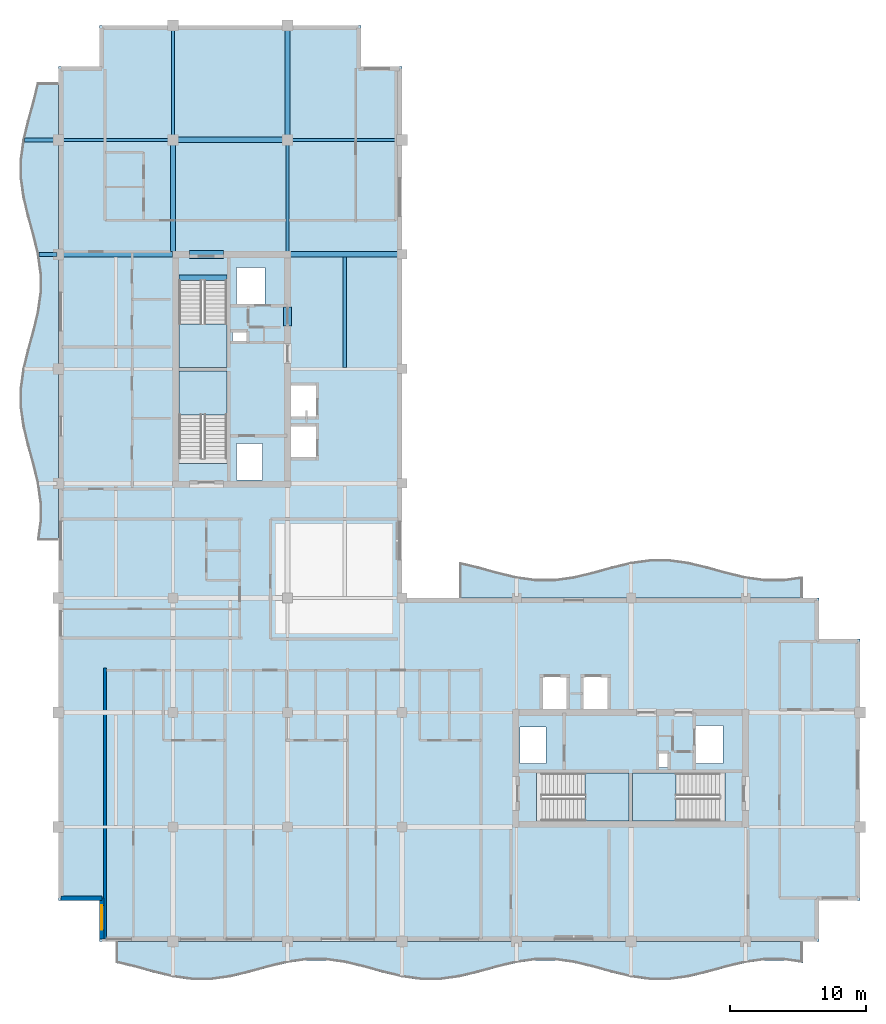
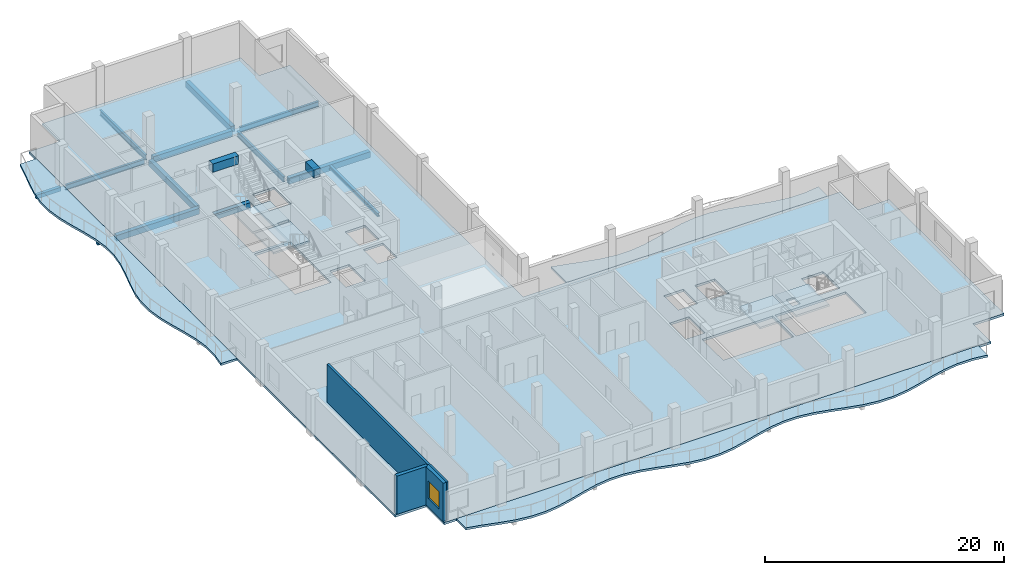
# One storey, part 2 of 11: 15 beams, 8 slabs, 3 walls, 1 window, 1 opening, 4 elements without a shape of their own.
"""IFC4 building model written with IfcOpenShell, lengths in metres."""

from ifc_helpers import new_model, si_unit, direction, frame, frame_2d, origin, origin_2d, place, context, subcontext, project, spatial, polyline, rectangle, i_section, outline, extrude, material, layer, layer_set, material_profile, profile_set, type_object, element, fill, aggregate, save


model = new_model("IFC4")

# Units and contexts
model_context = context("Model", 3, precision=1e-05, world=origin(), true_north=direction((0.0, 1.0)))
body_context = subcontext(model_context, "Body", "Model", "MODEL_VIEW")
ifc_project = project(units=[si_unit("LENGTHUNIT", "METRE"), si_unit("AREAUNIT", "SQUARE_METRE"), si_unit("VOLUMEUNIT", "CUBIC_METRE"), si_unit("PLANEANGLEUNIT", "RADIAN"), si_unit("MASSUNIT", "GRAM", prefix="KILO")], contexts=[model_context])

# Site, building, storey
site_placement = place(None, origin())
site = spatial("IfcSite", under=ifc_project, at=site_placement, CompositionType="ELEMENT")
building_placement = place(site_placement, origin())
building = spatial("IfcBuilding", under=site, at=building_placement, Name="Koriwani Terraces Tower", CompositionType="ELEMENT")
storey_placement = place(building_placement, frame((0.0, 0.0, 359.60009765625)))
storey = spatial("IfcBuildingStorey", under=building, at=storey_placement, Name="L89", CompositionType="ELEMENT", Elevation=359.60009765625)

# Beams
ifc_material_1 = material(Name="Concrete C40/50", Category="concrete")
ifc_material_profile_1 = material_profile(ifc_material_1, rectangle(XDim=0.300048828125, YDim=0.39990234375, at=origin_2d()), Name="Concrete C40/50", Category="LoadBearing")
ifc_profile_set_1 = profile_set([ifc_material_profile_1], Name="Concrete C40/50")
beam_type_1 = type_object("IfcBeamType", Name="BEAM_RC_BALCONY_RIB_300X400", PredefinedType="JOIST", material=ifc_profile_set_1)
beam_1_placement = place(storey_placement, frame((6.980224609375, 58.800048828125, -0.43017578125), z_axis=(1.0, 0.0, 0.0), x_axis=(0.0, 1.0, 0.0)))
element("IfcBeam", 1, at=beam_1_placement, inside=storey, type_object=beam_type_1, Name="L89 Balcony Bracket Rib W-3", PredefinedType="JOIST", context=body_context, shape_type="SweptSolid", body=[
    extrude(rectangle(XDim=0.300048828125, YDim=0.39990234375, at=origin_2d()), origin(), (0.0, 0.0, 1.0), 1.31982421875),
])
beam_2_placement = place(storey_placement, frame((5.919677734375, 67.199951171875, -0.43017578125), z_axis=(1.0, 0.0, 0.0), x_axis=(0.0, 1.0, 0.0)))
element("IfcBeam", 2, at=beam_2_placement, inside=storey, type_object=beam_type_1, Name="L89 Balcony Bracket Rib W-4", PredefinedType="JOIST", context=body_context, shape_type="SweptSolid", body=[
    extrude(rectangle(XDim=0.300048828125, YDim=0.39990234375, at=origin_2d()), origin(), (0.0, 0.0, 1.0), 2.38037109375),
])
ifc_material_2 = material(Name="Concrete C50/60", Category="concrete")
ifc_material_profile_2 = material_profile(ifc_material_2, rectangle(XDim=0.60009765625, YDim=0.85009765625, at=origin_2d()), Name="Concrete C50/60", Category="LoadBearing")
ifc_profile_set_2 = profile_set([ifc_material_profile_2], Name="Concrete C50/60")
beam_type_2 = type_object("IfcBeamType", Name="BEAM_RC_COUPLING_600X850", PredefinedType="LINTEL", material=ifc_profile_set_2)
beam_3_placement = place(storey_placement, frame((25.199951171875, 53.550048828125, 3.474853515625), z_axis=(0.0, 1.0, 0.0), x_axis=(-1.0, 0.0, 0.0)))
element("IfcBeam", 3, at=beam_3_placement, inside=storey, type_object=beam_type_2, Name="L89 Core Coupling Lintel Beam WE2", PredefinedType="LINTEL", context=body_context, shape_type="SweptSolid", body=[
    extrude(rectangle(XDim=0.60009765625, YDim=0.85009765625, at=origin_2d()), origin(), (0.0, 0.0, 1.0), 1.39990234375),
])
beam_4_placement = place(storey_placement, frame((18.0, 58.800048828125, 3.474853515625), z_axis=(1.0, 0.0, 0.0), x_axis=(0.0, 1.0, 0.0)))
element("IfcBeam", 4, at=beam_4_placement, inside=storey, type_object=beam_type_2, Name="L89 Core Coupling Lintel Beam WN", PredefinedType="LINTEL", context=body_context, shape_type="SweptSolid", body=[
    extrude(rectangle(XDim=0.60009765625, YDim=0.85009765625, at=origin_2d()), origin(), (0.0, 0.0, 1.0), 2.5),
])
ifc_material_profile_3 = material_profile(ifc_material_1, rectangle(XDim=0.39990234375, YDim=0.60009765625, at=origin_2d()), Name="Concrete C40/50", Category="LoadBearing")
ifc_profile_set_3 = profile_set([ifc_material_profile_3], Name="Concrete C40/50")
beam_type_3 = type_object("IfcBeamType", Name="BEAM_RC_GRID_400X600", PredefinedType="BEAM", material=ifc_profile_set_3)
beam_5_placement = place(storey_placement, frame((17.25, 57.094970703125, -0.300048828125), z_axis=(1.0, 0.0, 0.0), x_axis=(0.0, 1.0, 0.0)))
element("IfcBeam", 5, at=beam_5_placement, inside=storey, type_object=beam_type_3, Name="L89 Stairwell Header Trimmer Beam ST-W2", PredefinedType="BEAM", context=body_context, shape_type="SweptSolid", body=[
    extrude(rectangle(XDim=0.39990234375, YDim=0.60009765625, at=origin_2d()), origin(), (0.0, 0.0, 1.0), 3.5),
])
beam_6_placement = place(storey_placement, frame((8.780029296875, 58.800048828125, -0.530029296875), z_axis=(1.0, 0.0, 0.0), x_axis=(0.0, 1.0, 0.0)))
element("IfcBeam", 6, at=beam_6_placement, inside=storey, type_object=beam_type_3, Name="L89 Grid Beam H (8.4-16.8m)", PredefinedType="BEAM", context=body_context, shape_type="SweptSolid", body=[
    extrude(rectangle(XDim=0.39990234375, YDim=0.60009765625, at=origin_2d()), origin(), (0.0, 0.0, 1.0), 7.989990234375),
])
beam_7_placement = place(storey_placement, frame((25.429931640625, 58.800048828125, -0.530029296875), z_axis=(1.0, 0.0, 0.0), x_axis=(0.0, 1.0, 0.0)))
element("IfcBeam", 7, at=beam_7_placement, inside=storey, type_object=beam_type_3, Name="L89 Grid Beam H (25.2-33.6m)", PredefinedType="BEAM", context=body_context, shape_type="SweptSolid", body=[
    extrude(rectangle(XDim=0.39990234375, YDim=0.60009765625, at=origin_2d()), origin(), (0.0, 0.0, 1.0), 7.840087890625),
])
beam_8_placement = place(storey_placement, frame((17.179931640625, 67.199951171875, -0.530029296875), z_axis=(1.0, 0.0, 0.0), x_axis=(0.0, 1.0, 0.0)))
element("IfcBeam", 8, at=beam_8_placement, inside=storey, type_object=beam_type_3, Name="L89 Grid Beam I (16.8-25.2m)", PredefinedType="BEAM", context=body_context, shape_type="SweptSolid", body=[
    extrude(rectangle(XDim=0.39990234375, YDim=0.60009765625, at=origin_2d()), origin(), (0.0, 0.0, 1.0), 7.64013671875),
])
beam_9_placement = place(storey_placement, frame((16.800048828125, 59.030029296875, -0.530029296875), z_axis=(0.0, 1.0, 0.0), x_axis=(-1.0, 0.0, 0.0)))
element("IfcBeam", 9, at=beam_9_placement, inside=storey, type_object=beam_type_3, Name="L89 Grid Beam 3 (58.8-67.2m)", PredefinedType="BEAM", context=body_context, shape_type="SweptSolid", body=[
    extrude(rectangle(XDim=0.39990234375, YDim=0.60009765625, at=origin_2d()), origin(), (0.0, 0.0, 1.0), 7.7900390625),
])
beam_10_placement = place(storey_placement, frame((25.199951171875, 67.580078125, -0.530029296875), z_axis=(0.0, 1.0, 0.0), x_axis=(-1.0, 0.0, 0.0)))
element("IfcBeam", 10, at=beam_10_placement, inside=storey, type_object=beam_type_3, Name="L89 Grid Beam 4 (67.2-75.6m)", PredefinedType="BEAM", context=body_context, shape_type="SweptSolid", body=[
    extrude(rectangle(XDim=0.39990234375, YDim=0.60009765625, at=origin_2d()), origin(), (0.0, 0.0, 1.0), 7.639892578125),
])
ifc_material_3 = material(Name="Steel ASTM A572 Grade 50", Category="steel")
ifc_material_profile_4 = material_profile(ifc_material_3, i_section(OverallWidth=0.257080078125, OverallDepth=0.363037109375, WebThickness=0.012939453125, FlangeThickness=0.021728515625, at=origin_2d()), Name="Steel ASTM A572 Grade 50", Category="LoadBearing")
ifc_profile_set_4 = profile_set([ifc_material_profile_4], Name="Steel ASTM A572 Grade 50")
beam_type_4 = type_object("IfcBeamType", Name="STEEL_BEAM_W360X122", PredefinedType="JOIST", material=ifc_profile_set_4)
beam_11_placement = place(storey_placement, frame((29.39990234375, 50.49560546875, -0.41162109375), z_axis=(0.0, 1.0, 0.0), x_axis=(-1.0, 0.0, 0.0)))
element("IfcBeam", 11, at=beam_11_placement, inside=storey, type_object=beam_type_4, Name="L89 Secondary Steel Floor Joist X=29.4m", PredefinedType="JOIST", context=body_context, shape_type="SweptSolid", body=[
    extrude(i_section(OverallWidth=0.257080078125, OverallDepth=0.363037109375, WebThickness=0.012939453125, FlangeThickness=0.021728515625, at=origin_2d()), origin(), (0.0, 0.0, 1.0), 8.114501953125),
])
ifc_material_profile_5 = material_profile(ifc_material_3, i_section(OverallWidth=0.2109375, OverallDepth=0.5390625, WebThickness=0.01171875, FlangeThickness=0.018798828125, at=origin_2d()), Name="Steel ASTM A572 Grade 50", Category="LoadBearing")
ifc_profile_set_5 = profile_set([ifc_material_profile_5], Name="Steel ASTM A572 Grade 50")
beam_type_5 = type_object("IfcBeamType", Name="STEEL_BEAM_W530X109", PredefinedType="BEAM", material=ifc_profile_set_5)
for number, where, z_axis, x_axis, name in (
    (12, (8.780029296875, 67.199951171875, -0.49951171875), (1.0, 0.0, 0.0), (0.0, 1.0, 0.0), "L89 Grid Beam I (8.4-16.8m)"),
    (13, (25.580078125, 67.199951171875, -0.49951171875), (1.0, 0.0, 0.0), (0.0, 1.0, 0.0), "L89 Grid Beam I (25.2-33.6m)"),
    (14, (16.800048828125, 67.580078125, -0.49951171875), (0.0, 1.0, 0.0), (-1.0, 0.0, 0.0), "L89 Grid Beam 3 (67.2-75.6m)"),
):
    element("IfcBeam", number, at=place(storey_placement, frame(where, z_axis=z_axis, x_axis=x_axis)), inside=storey, type_object=beam_type_5, Name=name, PredefinedType="BEAM", context=body_context, shape_type="SweptSolid", body=[
        extrude(i_section(OverallWidth=0.2109375, OverallDepth=0.5390625, WebThickness=0.01171875, FlangeThickness=0.018798828125, at=origin_2d()), origin(), (0.0, 0.0, 1.0), 7.639892578125),
    ])
beam_12_placement = place(storey_placement, frame((25.199951171875, 59.030029296875, -0.49951171875), z_axis=(0.0, 1.0, 0.0), x_axis=(-1.0, 0.0, 0.0)))
element("IfcBeam", 15, at=beam_12_placement, inside=storey, type_object=beam_type_5, Name="L89 Grid Beam 4 (58.8-67.2m)", PredefinedType="BEAM", context=body_context, shape_type="SweptSolid", body=[
    extrude(i_section(OverallWidth=0.2109375, OverallDepth=0.5390625, WebThickness=0.01171875, FlangeThickness=0.018798828125, at=origin_2d()), origin(), (0.0, 0.0, 1.0), 7.7900390625),
])

# Slabs
ifc_layer_1 = layer(ifc_material_1, 0.219970703125, Name="Concrete C40/50")
ifc_layer_set_1 = layer_set([ifc_layer_1], Name="Concrete C40/50")
slab_type_1 = type_object("IfcSlabType", Name="SLAB_BALCONY_220", PredefinedType="FLOOR", material=ifc_layer_set_1)
slab_1_placement = place(storey_placement, frame((0.0, 0.0, -0.22021484375)))
element("IfcSlab", 16, at=slab_1_placement, inside=storey, type_object=slab_type_1, Name="L89 Quilted Circular-Arc Balcony (S)", PredefinedType="FLOOR", context=body_context, shape_type="SweptSolid", body=[
    extrude(outline(polyline([(12.60009765625, 8.39990234375), (14.0, 8.39990234375), (15.39990234375, 8.39990234375), (16.800048828125, 8.39990234375), (18.199951171875, 8.39990234375), (19.60009765625, 8.39990234375), (21.0, 8.39990234375), (22.39990234375, 8.39990234375), (23.800048828125, 8.39990234375), (25.199951171875, 8.39990234375), (26.60009765625, 8.39990234375), (28.0, 8.39990234375), (29.39990234375, 8.39990234375), (30.800048828125, 8.39990234375), (32.199951171875, 8.39990234375), (33.60009765625, 8.39990234375), (35.0, 8.39990234375), (36.39990234375, 8.39990234375), (37.800048828125, 8.39990234375), (39.199951171875, 8.39990234375), (40.60009765625, 8.39990234375), (42.0, 8.39990234375), (43.39990234375, 8.39990234375), (44.800048828125, 8.39990234375), (46.199951171875, 8.39990234375), (47.60009765625, 8.39990234375), (49.0, 8.39990234375), (50.39990234375, 8.39990234375), (51.800048828125, 8.39990234375), (53.199951171875, 8.39990234375), (54.60009765625, 8.39990234375), (56.0, 8.39990234375), (57.39990234375, 8.39990234375), (58.800048828125, 8.39990234375), (60.199951171875, 8.39990234375), (61.60009765625, 8.39990234375), (63.0, 8.39990234375), (63.0, 6.830322265625), (61.60009765625, 7.0244140625), (60.199951171875, 7.0244140625), (58.800048828125, 6.830322265625), (57.39990234375, 6.494140625), (56.0, 6.10595703125), (54.60009765625, 5.769775390625), (53.199951171875, 5.57568359375), (51.800048828125, 5.57568359375), (50.39990234375, 5.769775390625), (49.0, 6.10595703125), (47.60009765625, 6.494140625), (46.199951171875, 6.830322265625), (44.800048828125, 7.0244140625), (43.39990234375, 7.0244140625), (42.0, 6.830322265625), (40.60009765625, 6.494140625), (39.199951171875, 6.10595703125), (37.800048828125, 5.769775390625), (36.39990234375, 5.57568359375), (35.0, 5.57568359375), (33.60009765625, 5.769775390625), (32.199951171875, 6.10595703125), (30.800048828125, 6.494140625), (29.39990234375, 6.830322265625), (28.0, 7.0244140625), (26.60009765625, 7.0244140625), (25.199951171875, 6.830322265625), (23.800048828125, 6.494140625), (22.39990234375, 6.10595703125), (21.0, 5.769775390625), (19.60009765625, 5.57568359375), (18.199951171875, 5.57568359375), (16.800048828125, 5.769775390625), (15.39990234375, 6.10595703125), (14.0, 6.494140625), (12.60009765625, 6.830322265625), (12.60009765625, 8.39990234375)])), origin(), (0.0, 0.0, 1.0), 0.22021484375),
])
slab_2_placement = place(storey_placement, frame((0.0, 0.0, -0.22021484375)))
element("IfcSlab", 17, at=slab_2_placement, inside=storey, type_object=slab_type_1, Name="L89 Quilted Circular-Arc Balcony (W)", PredefinedType="FLOOR", context=body_context, shape_type="SweptSolid", body=[
    extrude(outline(polyline([(8.39990234375, 37.800048828125), (8.39990234375, 39.199951171875), (8.39990234375, 40.60009765625), (8.39990234375, 42.0), (8.39990234375, 43.39990234375), (8.39990234375, 44.800048828125), (8.39990234375, 46.199951171875), (8.39990234375, 47.60009765625), (8.39990234375, 49.0), (8.39990234375, 50.39990234375), (8.39990234375, 51.800048828125), (8.39990234375, 53.199951171875), (8.39990234375, 54.60009765625), (8.39990234375, 56.0), (8.39990234375, 57.39990234375), (8.39990234375, 58.800048828125), (8.39990234375, 60.199951171875), (8.39990234375, 61.60009765625), (8.39990234375, 63.0), (8.39990234375, 64.39990234375), (8.39990234375, 65.800048828125), (8.39990234375, 67.199951171875), (8.39990234375, 68.60009765625), (8.39990234375, 70.0), (8.39990234375, 71.39990234375), (6.830322265625, 71.39990234375), (6.494140625, 70.0), (6.10595703125, 68.60009765625), (5.769775390625, 67.199951171875), (5.57568359375, 65.800048828125), (5.57568359375, 64.39990234375), (5.769775390625, 63.0), (6.10595703125, 61.60009765625), (6.494140625, 60.199951171875), (6.830322265625, 58.800048828125), (7.0244140625, 57.39990234375), (7.0244140625, 56.0), (6.830322265625, 54.60009765625), (6.494140625, 53.199951171875), (6.10595703125, 51.800048828125), (5.769775390625, 50.39990234375), (5.57568359375, 49.0), (5.57568359375, 47.60009765625), (5.769775390625, 46.199951171875), (6.10595703125, 44.800048828125), (6.494140625, 43.39990234375), (6.830322265625, 42.0), (7.0244140625, 40.60009765625), (7.0244140625, 39.199951171875), (6.830322265625, 37.800048828125), (8.39990234375, 37.800048828125)])), origin(), (0.0, 0.0, 1.0), 0.22021484375),
])
slab_3_placement = place(storey_placement, frame((0.0, 0.0, -0.22021484375)))
element("IfcSlab", 18, at=slab_3_placement, inside=storey, type_object=slab_type_1, Name="L89 Quilted Circular-Arc Balcony (NE)", PredefinedType="FLOOR", context=body_context, shape_type="SweptSolid", body=[
    extrude(outline(polyline([(63.0, 33.60009765625), (61.60009765625, 33.60009765625), (60.199951171875, 33.60009765625), (58.800048828125, 33.60009765625), (57.39990234375, 33.60009765625), (56.0, 33.60009765625), (54.60009765625, 33.60009765625), (53.199951171875, 33.60009765625), (51.800048828125, 33.60009765625), (50.39990234375, 33.60009765625), (49.0, 33.60009765625), (47.60009765625, 33.60009765625), (46.199951171875, 33.60009765625), (44.800048828125, 33.60009765625), (43.39990234375, 33.60009765625), (42.0, 33.60009765625), (40.60009765625, 33.60009765625), (39.199951171875, 33.60009765625), (37.800048828125, 33.60009765625), (37.800048828125, 36.230224609375), (39.199951171875, 35.89404296875), (40.60009765625, 35.505859375), (42.0, 35.169677734375), (43.39990234375, 34.9755859375), (44.800048828125, 34.9755859375), (46.199951171875, 35.169677734375), (47.60009765625, 35.505859375), (49.0, 35.89404296875), (50.39990234375, 36.230224609375), (51.800048828125, 36.42431640625), (53.199951171875, 36.42431640625), (54.60009765625, 36.230224609375), (56.0, 35.89404296875), (57.39990234375, 35.505859375), (58.800048828125, 35.169677734375), (60.199951171875, 34.9755859375), (61.60009765625, 34.9755859375), (63.0, 35.169677734375), (63.0, 33.60009765625)])), origin(), (0.0, 0.0, 1.0), 0.22021484375),
])
ifc_layer_2 = layer(ifc_material_1, 0.22998046875, Name="Concrete C40/50")
ifc_layer_set_2 = layer_set([ifc_layer_2], Name="Concrete C40/50")
slab_type_2 = type_object("IfcSlabType", Name="SLAB_RES_TYP_230", PredefinedType="FLOOR", material=ifc_layer_set_2)
slab_4_placement = place(storey_placement, frame((0.0, 0.0, -0.22998046875)))
element("IfcSlab", 19, at=slab_4_placement, inside=storey, type_object=slab_type_2, Name="L89 Structural Floor Slab", PredefinedType="FLOOR", context=body_context, shape_type="SweptSolid", body=[
    extrude(outline(polyline([(11.39990234375, 8.39990234375), (64.199951171875, 8.39990234375), (64.199951171875, 11.39990234375), (67.199951171875, 11.39990234375), (67.199951171875, 30.60009765625), (64.199951171875, 30.60009765625), (64.199951171875, 33.60009765625), (33.60009765625, 33.60009765625), (33.60009765625, 72.60009765625), (30.60009765625, 72.60009765625), (30.60009765625, 75.60009765625), (11.39990234375, 75.60009765625), (11.39990234375, 72.60009765625), (8.39990234375, 72.60009765625), (8.39990234375, 11.39990234375), (11.39990234375, 11.39990234375), (11.39990234375, 8.39990234375)]), holes=[polyline([(17.25, 43.4599609375), (20.75, 43.4599609375), (20.75, 50.25), (17.25, 50.25), (17.25, 43.4599609375)]), polyline([(17.25, 50.5), (20.75, 50.5), (20.75, 57.2900390625), (17.25, 57.2900390625), (17.25, 50.5)]), polyline([(43.4599609375, 17.25), (50.25, 17.25), (50.25, 20.75), (43.4599609375, 20.75), (43.4599609375, 17.25)]), polyline([(50.5, 17.25), (57.2900390625, 17.25), (57.2900390625, 20.75), (50.5, 20.75), (50.5, 17.25)]), polyline([(25.449951171875, 43.85009765625), (27.35009765625, 43.85009765625), (27.35009765625, 46.25), (25.449951171875, 46.25), (25.449951171875, 43.85009765625)]), polyline([(25.449951171875, 46.85009765625), (27.35009765625, 46.85009765625), (27.35009765625, 49.25), (25.449951171875, 49.25), (25.449951171875, 46.85009765625)]), polyline([(43.85009765625, 25.449951171875), (45.75, 25.449951171875), (45.75, 27.85009765625), (43.85009765625, 27.85009765625), (43.85009765625, 25.449951171875)]), polyline([(46.85009765625, 25.449951171875), (48.75, 25.449951171875), (48.75, 27.85009765625), (46.85009765625, 27.85009765625), (46.85009765625, 25.449951171875)]), polyline([(21.449951171875, 55.050048828125), (23.550048828125, 55.050048828125), (23.550048828125, 57.85009765625), (21.449951171875, 57.85009765625), (21.449951171875, 55.050048828125)]), polyline([(55.050048828125, 21.449951171875), (57.14990234375, 21.449951171875), (57.14990234375, 24.25), (55.050048828125, 24.25), (55.050048828125, 21.449951171875)]), polyline([(21.449951171875, 42.25), (23.35009765625, 42.25), (23.35009765625, 44.949951171875), (21.449951171875, 44.949951171875), (21.449951171875, 42.25)]), polyline([(42.25, 21.449951171875), (44.14990234375, 21.449951171875), (44.14990234375, 24.14990234375), (42.25, 24.14990234375), (42.25, 21.449951171875)]), polyline([(21.14990234375, 52.419921875), (22.219970703125, 52.419921875), (22.219970703125, 53.179931640625), (21.14990234375, 53.179931640625), (21.14990234375, 52.419921875)]), polyline([(52.419921875, 21.14990234375), (53.179931640625, 21.14990234375), (53.179931640625, 22.219970703125), (52.419921875, 22.219970703125), (52.419921875, 21.14990234375)])]), origin(), (0.0, 0.0, 1.0), 0.22998046875),
])

# Stair, slab
stair_type = type_object("IfcStairType", Name="STAIR_CORE_DOGLEG_1650", PredefinedType="TWO_STRAIGHT_RUN_STAIR", material=ifc_material_1)
stair_1_placement = place(storey_placement, origin())
stair_1 = element("IfcStair", 20, at=stair_1_placement, inside=storey, type_object=stair_type, Name="L89 West Core Exit Stair 1", PredefinedType="HALF_TURN_STAIR")
ifc_layer_3 = layer(ifc_material_1, 0.199951171875, Name="Concrete C40/50")
ifc_layer_set_3 = layer_set([ifc_layer_3], Name="Concrete C40/50")
slab_type_3 = type_object("IfcSlabType", Name="SLAB_STAIR_LANDING_200", PredefinedType="LANDING", material=ifc_layer_set_3)
slab_5_placement = place(storey_placement, frame((0.0, 0.0, 1.89990234375)))
slab_5 = element("IfcSlab", 21, at=slab_5_placement, type_object=slab_type_3, Name="ST-W1 landing 1", PredefinedType="LANDING", context=body_context, shape_type="SweptSolid", body=[
    extrude(outline(polyline([(20.75, 47.0400390625), (20.75, 50.25), (17.25, 50.25), (17.25, 47.0400390625), (20.75, 47.0400390625)])), origin(), (0.0, 0.0, 1.0), 0.199951171875),
])
aggregate(stair_1, [slab_5])

stair_2_placement = place(storey_placement, origin())
stair_2 = element("IfcStair", 22, at=stair_2_placement, inside=storey, type_object=stair_type, Name="L89 West Core Exit Stair 2", PredefinedType="HALF_TURN_STAIR")
slab_6_placement = place(storey_placement, frame((0.0, 0.0, 1.89990234375)))
slab_6 = element("IfcSlab", 23, at=slab_6_placement, type_object=slab_type_3, Name="ST-W2 landing 1", PredefinedType="LANDING", context=body_context, shape_type="SweptSolid", body=[
    extrude(outline(polyline([(17.25, 53.7099609375), (17.25, 50.5), (20.75, 50.5), (20.75, 53.7099609375), (17.25, 53.7099609375)])), origin(), (0.0, 0.0, 1.0), 0.199951171875),
])
aggregate(stair_2, [slab_6])

stair_3_placement = place(storey_placement, origin())
stair_3 = element("IfcStair", 24, at=stair_3_placement, inside=storey, type_object=stair_type, Name="L89 East Core Exit Stair 1", PredefinedType="HALF_TURN_STAIR")
slab_7_placement = place(storey_placement, frame((0.0, 0.0, 1.89990234375)))
slab_7 = element("IfcSlab", 25, at=slab_7_placement, type_object=slab_type_3, Name="ST-E1 landing 1", PredefinedType="LANDING", context=body_context, shape_type="SweptSolid", body=[
    extrude(outline(polyline([(47.0400390625, 17.25), (50.25, 17.25), (50.25, 20.75), (47.0400390625, 20.75), (47.0400390625, 17.25)])), origin(), (0.0, 0.0, 1.0), 0.199951171875),
])
aggregate(stair_3, [slab_7])

stair_4_placement = place(storey_placement, origin())
stair_4 = element("IfcStair", 26, at=stair_4_placement, inside=storey, type_object=stair_type, Name="L89 East Core Exit Stair 2", PredefinedType="HALF_TURN_STAIR")
slab_8_placement = place(storey_placement, frame((0.0, 0.0, 1.89990234375)))
slab_8 = element("IfcSlab", 27, at=slab_8_placement, type_object=slab_type_3, Name="ST-E2 landing 1", PredefinedType="LANDING", context=body_context, shape_type="SweptSolid", body=[
    extrude(outline(polyline([(53.7099609375, 20.75), (50.5, 20.75), (50.5, 17.25), (53.7099609375, 17.25), (53.7099609375, 20.75)])), origin(), (0.0, 0.0, 1.0), 0.199951171875),
])
aggregate(stair_4, [slab_8])

# Wall
ifc_material_4 = material(Name="Autoclaved Cellular Concrete Blockwork", Category="masonry")
ifc_layer_4 = layer(ifc_material_4, 0.219970703125, Name="Autoclaved Cellular Concrete Blockwork")
ifc_layer_set_4 = layer_set([ifc_layer_4], Name="Autoclaved Cellular Concrete Blockwork")
wall_type_1 = type_object("IfcWallType", Name="WALL_DEMISING_220", PredefinedType="PARTITIONING", material=ifc_layer_set_4)
wall_1_placement = place(storey_placement, frame((11.800048828125, 8.60009765625, 0.0), z_axis=(0.0, 0.0, 1.0), x_axis=(0.0, 1.0, 0.0)))
element("IfcWall", 28, at=wall_1_placement, inside=storey, type_object=wall_type_1, Name="L89 Interior Wall WRDEM-L89-SW-0", PredefinedType="PARTITIONING", context=body_context, shape_type="SweptSolid", body=[
    extrude(rectangle(XDim=19.8798828125, YDim=0.219970703125, at=frame_2d((9.93994140625, 0.0))), origin(), (0.0, 0.0, 1.0), 3.89990234375),
])

# Wall, opening, window
ifc_layer_5 = layer(ifc_material_2, 0.35009765625, Name="Concrete C50/60")
ifc_layer_set_5 = layer_set([ifc_layer_5], Name="Concrete C50/60")
wall_type_2 = type_object("IfcWallType", Name="WALL_EXT_BRUTALIST_350", PredefinedType="STANDARD", material=ifc_layer_set_5)
wall_2_placement = place(storey_placement, frame((11.574951171875, 8.574951171875, 0.0), z_axis=(0.0, 0.0, 1.0), x_axis=(0.0, 1.0, 0.0)))
wall_2 = element("IfcWall", 29, at=wall_2_placement, inside=storey, type_object=wall_type_2, Name="L89 Fair-Faced Brutalist Exterior Wall (N0)", PredefinedType="STANDARD", context=body_context, shape_type="SweptSolid", body=[
    extrude(rectangle(XDim=3.0, YDim=0.35009765625, at=frame_2d((1.5, 0.0))), origin(), (0.0, 0.0, 1.0), 3.89990234375),
])
opening_placement = place(wall_2_placement, frame((0.677490234375, 0.0, 0.85009765625)))
opening = element("IfcOpeningElement", 30, at=opening_placement, cuts=wall_2, Name="Opening W-04", PredefinedType="OPENING", context=body_context, shape_type="SweptSolid", body=[
    extrude(rectangle(XDim=1.800048828125, YDim=1.800048828125, at=frame_2d((0.89990234375, 0.89990234375))), frame((0.0, 0.18505859375, 0.0), z_axis=(0.0, -1.0, 0.0), x_axis=(1.0, 0.0, 0.0)), (0.0, 0.0, 1.0), 0.3701171875),
])
ifc_material_5 = material(Name="Tempered Laminated Low-E Glass", Category="glass")
window_type = type_object("IfcWindowType", Name="WIN_RES_BED_1800X1800", PartitioningType="DOUBLE_PANEL_VERTICAL", PredefinedType="WINDOW", material=ifc_material_5)
window_placement = place(opening_placement, origin())
window = element("IfcWindow", 31, at=window_placement, inside=storey, type_object=window_type, Name="L89 Exterior Window (N0-R33)", OverallHeight=1.800048828125, OverallWidth=1.800048828125, PartitioningType="SINGLE_PANEL", PredefinedType="WINDOW", context=body_context, shape_type="SweptSolid", body=[
    extrude(rectangle(XDim=1.800048828125, YDim=1.800048828125, at=frame_2d((0.89990234375, 0.89990234375))), frame((0.0, 0.030029296875, 0.0), z_axis=(0.0, -1.0, 0.0), x_axis=(1.0, 0.0, 0.0)), (0.0, 0.0, 1.0), 0.06005859375),
])
fill(opening, window)

# Wall
wall_3_placement = place(storey_placement, frame((11.574951171875, 11.574951171875, 0.0), z_axis=(0.0, 0.0, 1.0), x_axis=(-1.0, 0.0, 0.0)))
element("IfcWall", 32, at=wall_3_placement, inside=storey, type_object=wall_type_2, Name="L89 Fair-Faced Brutalist Exterior Wall (N1)", PredefinedType="STANDARD", context=body_context, shape_type="SweptSolid", body=[
    extrude(rectangle(XDim=3.0, YDim=0.35009765625, at=frame_2d((1.5, 0.0))), origin(), (0.0, 0.0, 1.0), 3.89990234375),
])

save(model, "model.ifc")
